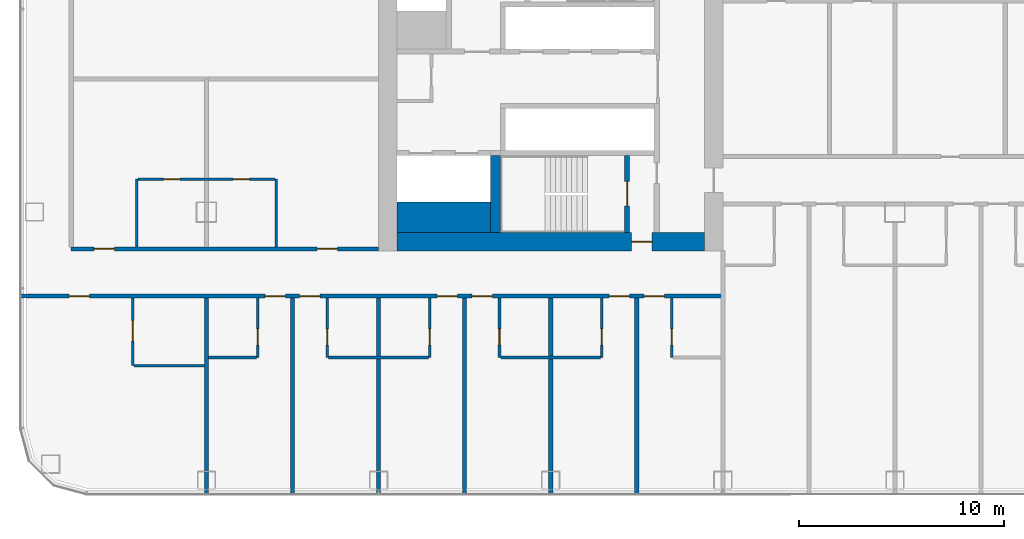
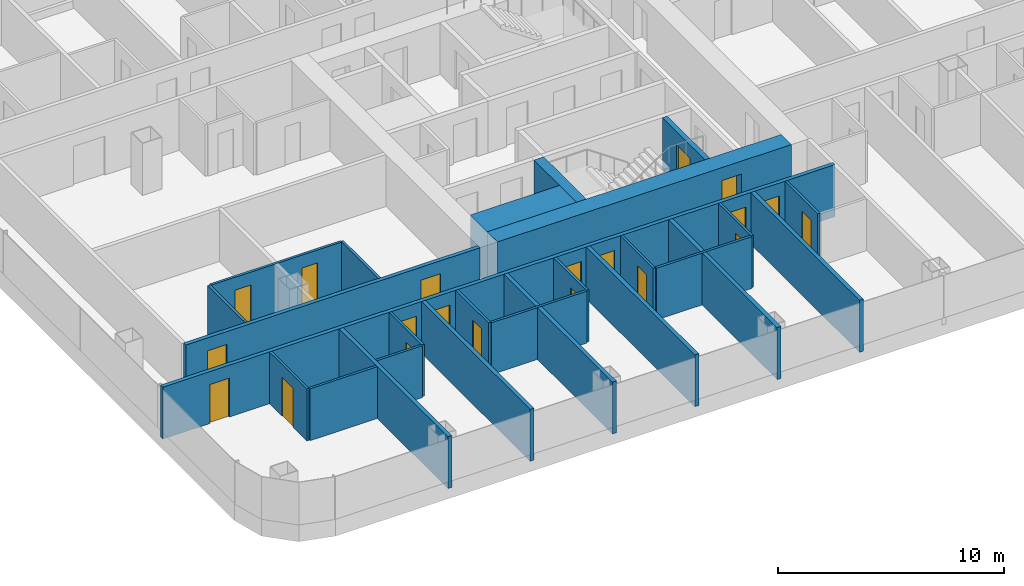
# One storey, part 13 of 29: 26 walls, 20 doors, 20 openings.
"""IFC4 building model written with IfcOpenShell, lengths in metres."""

from ifc_helpers import new_model, si_unit, direction, frame, frame_2d, origin, place, context, subcontext, project, spatial, rectangle, extrude, material, layer, layer_set, type_object, element, fill, save


model = new_model("IFC4")

# Units and contexts
model_context = context("Model", 3, precision=1e-05, world=origin(), true_north=direction((0.0, 1.0)))
body_context = subcontext(model_context, "Body", "Model", "MODEL_VIEW")
ifc_project = project(units=[si_unit("LENGTHUNIT", "METRE"), si_unit("AREAUNIT", "SQUARE_METRE"), si_unit("VOLUMEUNIT", "CUBIC_METRE"), si_unit("PLANEANGLEUNIT", "RADIAN"), si_unit("MASSUNIT", "GRAM", prefix="KILO")], contexts=[model_context])

# Site, building, storey
site_placement = place(None, origin())
site = spatial("IfcSite", under=ifc_project, at=site_placement, CompositionType="ELEMENT")
building_placement = place(site_placement, origin())
building = spatial("IfcBuilding", under=site, at=building_placement, Name="Hakoniwa Tower and Hamabe Station Hall", CompositionType="ELEMENT")
storey_placement = place(building_placement, frame((0.0, 0.0, 23.0)))
storey = spatial("IfcBuildingStorey", under=building, at=storey_placement, Name="L05", CompositionType="ELEMENT", Elevation=23.0)

# Walls
ifc_material_1 = material(Name="Gypsum board partition", Category="gypsum")
ifc_layer_1 = layer(ifc_material_1, 0.125)
ifc_layer_set_1 = layer_set([ifc_layer_1], Name="Bathroom Partition 125")
wall_type_1 = type_object("IfcWallType", Name="Bathroom Partition 125", PredefinedType="PARTITIONING", material=ifc_layer_set_1)
wall_1_placement = place(storey_placement, frame((-45.53759765625, -14.0, 0.0), z_axis=(0.0, 0.0, 1.0), x_axis=(1.0, 0.0, 0.0)))
element("IfcWall", 1, at=wall_1_placement, inside=storey, type_object=wall_type_1, Name="GW-L05-001", PredefinedType="PARTITIONING", context=body_context, shape_type="SweptSolid", body=[
    extrude(rectangle(XDim=3.4375, YDim=0.125, at=frame_2d((1.71875, 0.0))), origin(), (0.0, 0.0, 1.0), 2.800048828125),
])
wall_2_placement = place(storey_placement, frame((-41.89990234375, -13.60009765625, 0.0), z_axis=(0.0, 0.0, 1.0), x_axis=(1.0, 0.0, 0.0)))
element("IfcWall", 2, at=wall_2_placement, inside=storey, type_object=wall_type_1, Name="GW-L05-002", PredefinedType="PARTITIONING", context=body_context, shape_type="SweptSolid", body=[
    extrude(rectangle(XDim=2.33740234375, YDim=0.125, at=frame_2d((1.168701171875, 0.0))), origin(), (0.0, 0.0, 1.0), 2.800048828125),
])
for number, where, z_axis, x_axis, name in (
    (3, (-36.03759765625, -13.60009765625, 0.0), (0.0, 0.0, 1.0), (1.0, 0.0, 0.0), "GW-L05-003"),
    (4, (-27.637451171875, -13.60009765625, 0.0), (0.0, 0.0, 1.0), (1.0, 0.0, 0.0), "GW-L05-004"),
):
    element("IfcWall", number, at=place(storey_placement, frame(where, z_axis=z_axis, x_axis=x_axis)), inside=storey, type_object=wall_type_1, Name=name, PredefinedType="PARTITIONING", context=body_context, shape_type="SweptSolid", body=[
        extrude(rectangle(XDim=4.875, YDim=0.125, at=frame_2d((2.4375, 0.0))), origin(), (0.0, 0.0, 1.0), 2.800048828125),
    ])

# Wall, openings, doors
wall_3_placement = place(storey_placement, frame((-45.33740234375, -4.89990234375, 0.0), z_axis=(0.0, 0.0, 1.0), x_axis=(1.0, 0.0, 0.0)))
wall_3 = element("IfcWall", 5, at=wall_3_placement, inside=storey, type_object=wall_type_1, Name="GW-L05-022", PredefinedType="PARTITIONING", context=body_context, shape_type="SweptSolid", body=[
    extrude(rectangle(XDim=6.6748046875, YDim=0.125, at=frame_2d((3.33740234375, 0.0))), origin(), (0.0, 0.0, 1.0), 2.800048828125),
])
opening_1_placement = place(wall_3_placement, frame((1.237548828125, 0.0, 0.0)))
opening_1 = element("IfcOpeningElement", 6, at=opening_1_placement, cuts=wall_3, Name="Opening GD-G1B0-27", PredefinedType="OPENING", context=body_context, shape_type="SweptSolid", body=[
    extrude(rectangle(XDim=0.800048828125, YDim=2.10009765625, at=frame_2d((0.39990234375, 1.050048828125))), frame((0.0, 0.072509765625, 0.0), z_axis=(0.0, -1.0, 0.0), x_axis=(1.0, 0.0, 0.0)), (0.0, 0.0, 1.0), 0.14501953125),
])
opening_2_placement = place(wall_3_placement, frame((4.637451171875, 0.0, 0.0)))
opening_2 = element("IfcOpeningElement", 7, at=opening_2_placement, cuts=wall_3, Name="Opening GD-G1B0-28", PredefinedType="OPENING", context=body_context, shape_type="SweptSolid", body=[
    extrude(rectangle(XDim=0.800048828125, YDim=2.10009765625, at=frame_2d((0.39990234375, 1.050048828125))), frame((0.0, 0.072509765625, 0.0), z_axis=(0.0, -1.0, 0.0), x_axis=(1.0, 0.0, 0.0)), (0.0, 0.0, 1.0), 0.14501953125),
])
ifc_material_2 = material(Name="Timber door leaf", Category="wood")
door_type_1 = type_object("IfcDoorType", Name="Bathroom Door 800", OperationType="SINGLE_SWING_LEFT", PredefinedType="DOOR", material=ifc_material_2)
door_1_placement = place(opening_1_placement, origin())
door_1 = element("IfcDoor", 8, at=door_1_placement, inside=storey, type_object=door_type_1, Name="Door GD-G1B0-27", OperationType="SINGLE_SWING_LEFT", OverallHeight=2.10009765625, OverallWidth=0.800048828125, PredefinedType="DOOR", context=body_context, shape_type="SweptSolid", body=[
    extrude(rectangle(XDim=0.800048828125, YDim=2.10009765625, at=frame_2d((0.39990234375, 1.050048828125))), frame((0.0, 0.02490234375, 0.0), z_axis=(0.0, -1.0, 0.0), x_axis=(1.0, 0.0, 0.0)), (0.0, 0.0, 1.0), 0.050048828125),
])
fill(opening_1, door_1)
door_2_placement = place(opening_2_placement, origin())
door_2 = element("IfcDoor", 9, at=door_2_placement, inside=storey, type_object=door_type_1, Name="Door GD-G1B0-28", OperationType="SINGLE_SWING_RIGHT", OverallHeight=2.10009765625, OverallWidth=0.800048828125, PredefinedType="DOOR", context=body_context, shape_type="SweptSolid", body=[
    extrude(rectangle(XDim=0.800048828125, YDim=2.10009765625, at=frame_2d((0.39990234375, 1.050048828125))), frame((0.0, 0.02490234375, 0.0), z_axis=(0.0, -1.0, 0.0), x_axis=(1.0, 0.0, 0.0)), (0.0, 0.0, 1.0), 0.050048828125),
])
fill(opening_2, door_2)

# Wall, opening, door
wall_4_placement = place(storey_placement, frame((-45.60009765625, -14.0, 0.0), z_axis=(0.0, 0.0, 1.0), x_axis=(0.0, 1.0, 0.0)))
wall_4 = element("IfcWall", 10, at=wall_4_placement, inside=storey, type_object=wall_type_1, Name="GW-L05-048", PredefinedType="PARTITIONING", context=body_context, shape_type="SweptSolid", body=[
    extrude(rectangle(XDim=3.300048828125, YDim=0.125, at=frame_2d((1.64990234375, 0.0))), origin(), (0.0, 0.0, 1.0), 2.800048828125),
])
opening_3_placement = place(wall_4_placement, frame((1.199951171875, 0.0, 0.0)))
opening_3 = element("IfcOpeningElement", 11, at=opening_3_placement, cuts=wall_4, Name="Opening GD-G1B0-64", PredefinedType="OPENING", context=body_context, shape_type="SweptSolid", body=[
    extrude(rectangle(XDim=1.0, YDim=2.10009765625, at=frame_2d((0.5, 1.050048828125))), frame((0.0, 0.072509765625, 0.0), z_axis=(0.0, -1.0, 0.0), x_axis=(1.0, 0.0, 0.0)), (0.0, 0.0, 1.0), 0.14501953125),
])
ifc_material_3 = material(Name="Timber door leaf", Category="wood")
door_type_2 = type_object("IfcDoorType", Name="Accessible Bathroom Door 1000", OperationType="SINGLE_SWING_LEFT", PredefinedType="DOOR", material=ifc_material_3)
door_3_placement = place(opening_3_placement, origin())
door_3 = element("IfcDoor", 12, at=door_3_placement, inside=storey, type_object=door_type_2, Name="Door GD-G1B0-64", OperationType="SINGLE_SWING_RIGHT", OverallHeight=2.10009765625, OverallWidth=1.0, PredefinedType="DOOR", context=body_context, shape_type="SweptSolid", body=[
    extrude(rectangle(XDim=1.0, YDim=2.10009765625, at=frame_2d((0.5, 1.050048828125))), frame((0.0, 0.02490234375, 0.0), z_axis=(0.0, -1.0, 0.0), x_axis=(1.0, 0.0, 0.0)), (0.0, 0.0, 1.0), 0.050048828125),
])
fill(opening_3, door_3)

# Wall
wall_5_placement = place(storey_placement, frame((-45.39990234375, -8.199951171875, 0.0), z_axis=(0.0, 0.0, 1.0), x_axis=(0.0, 1.0, 0.0)))
element("IfcWall", 13, at=wall_5_placement, inside=storey, type_object=wall_type_1, Name="GW-L05-050", PredefinedType="PARTITIONING", context=body_context, shape_type="SweptSolid", body=[
    extrude(rectangle(XDim=3.300048828125, YDim=0.125, at=frame_2d((1.64990234375, 0.0))), origin(), (0.0, 0.0, 1.0), 2.800048828125),
])

# Wall, opening, door
wall_6_placement = place(storey_placement, frame((-39.5, -13.60009765625, 0.0), z_axis=(0.0, 0.0, 1.0), x_axis=(0.0, 1.0, 0.0)))
wall_6 = element("IfcWall", 14, at=wall_6_placement, inside=storey, type_object=wall_type_1, Name="GW-L05-054", PredefinedType="PARTITIONING", context=body_context, shape_type="SweptSolid", body=[
    extrude(rectangle(XDim=2.900146484375, YDim=0.125, at=frame_2d((1.4501953125, 0.0))), origin(), (0.0, 0.0, 1.0), 2.800048828125),
])
opening_4_placement = place(wall_6_placement, frame((0.60009765625, 0.0, 0.0)))
opening_4 = element("IfcOpeningElement", 15, at=opening_4_placement, cuts=wall_6, Name="Opening GD-G1B0-66", PredefinedType="OPENING", context=body_context, shape_type="SweptSolid", body=[
    extrude(rectangle(XDim=0.800048828125, YDim=2.10009765625, at=frame_2d((0.39990234375, 1.050048828125))), frame((0.0, 0.072509765625, 0.0), z_axis=(0.0, -1.0, 0.0), x_axis=(1.0, 0.0, 0.0)), (0.0, 0.0, 1.0), 0.14501953125),
])
door_4_placement = place(opening_4_placement, origin())
door_4 = element("IfcDoor", 16, at=door_4_placement, inside=storey, type_object=door_type_1, Name="Door GD-G1B0-66", OperationType="SINGLE_SWING_RIGHT", OverallHeight=2.10009765625, OverallWidth=0.800048828125, PredefinedType="DOOR", context=body_context, shape_type="SweptSolid", body=[
    extrude(rectangle(XDim=0.800048828125, YDim=2.10009765625, at=frame_2d((0.39990234375, 1.050048828125))), frame((0.0, 0.02490234375, 0.0), z_axis=(0.0, -1.0, 0.0), x_axis=(1.0, 0.0, 0.0)), (0.0, 0.0, 1.0), 0.050048828125),
])
fill(opening_4, door_4)

# Wall
wall_7_placement = place(storey_placement, frame((-38.60009765625, -8.199951171875, 0.0), z_axis=(0.0, 0.0, 1.0), x_axis=(0.0, 1.0, 0.0)))
element("IfcWall", 17, at=wall_7_placement, inside=storey, type_object=wall_type_1, Name="GW-L05-057", PredefinedType="PARTITIONING", context=body_context, shape_type="SweptSolid", body=[
    extrude(rectangle(XDim=3.300048828125, YDim=0.125, at=frame_2d((1.64990234375, 0.0))), origin(), (0.0, 0.0, 1.0), 2.800048828125),
])

# Wall, opening, door
wall_8_placement = place(storey_placement, frame((-36.10009765625, -13.60009765625, 0.0), z_axis=(0.0, 0.0, 1.0), x_axis=(0.0, 1.0, 0.0)))
wall_8 = element("IfcWall", 18, at=wall_8_placement, inside=storey, type_object=wall_type_1, Name="GW-L05-061", PredefinedType="PARTITIONING", context=body_context, shape_type="SweptSolid", body=[
    extrude(rectangle(XDim=2.900146484375, YDim=0.125, at=frame_2d((1.4501953125, 0.0))), origin(), (0.0, 0.0, 1.0), 2.800048828125),
])
opening_5_placement = place(wall_8_placement, frame((0.60009765625, 0.0, 0.0)))
opening_5 = element("IfcOpeningElement", 19, at=opening_5_placement, cuts=wall_8, Name="Opening GD-G1B0-68", PredefinedType="OPENING", context=body_context, shape_type="SweptSolid", body=[
    extrude(rectangle(XDim=0.800048828125, YDim=2.10009765625, at=frame_2d((0.39990234375, 1.050048828125))), frame((0.0, 0.072509765625, 0.0), z_axis=(0.0, -1.0, 0.0), x_axis=(1.0, 0.0, 0.0)), (0.0, 0.0, 1.0), 0.14501953125),
])
door_5_placement = place(opening_5_placement, origin())
door_5 = element("IfcDoor", 20, at=door_5_placement, inside=storey, type_object=door_type_1, Name="Door GD-G1B0-68", OperationType="SINGLE_SWING_LEFT", OverallHeight=2.10009765625, OverallWidth=0.800048828125, PredefinedType="DOOR", context=body_context, shape_type="SweptSolid", body=[
    extrude(rectangle(XDim=0.800048828125, YDim=2.10009765625, at=frame_2d((0.39990234375, 1.050048828125))), frame((0.0, 0.02490234375, 0.0), z_axis=(0.0, -1.0, 0.0), x_axis=(1.0, 0.0, 0.0)), (0.0, 0.0, 1.0), 0.050048828125),
])
fill(opening_5, door_5)

wall_9_placement = place(storey_placement, frame((-31.10009765625, -13.60009765625, 0.0), z_axis=(0.0, 0.0, 1.0), x_axis=(0.0, 1.0, 0.0)))
wall_9 = element("IfcWall", 21, at=wall_9_placement, inside=storey, type_object=wall_type_1, Name="GW-L05-065", PredefinedType="PARTITIONING", context=body_context, shape_type="SweptSolid", body=[
    extrude(rectangle(XDim=2.900146484375, YDim=0.125, at=frame_2d((1.4501953125, 0.0))), origin(), (0.0, 0.0, 1.0), 2.800048828125),
])
opening_6_placement = place(wall_9_placement, frame((0.60009765625, 0.0, 0.0)))
opening_6 = element("IfcOpeningElement", 22, at=opening_6_placement, cuts=wall_9, Name="Opening GD-G1B0-70", PredefinedType="OPENING", context=body_context, shape_type="SweptSolid", body=[
    extrude(rectangle(XDim=0.800048828125, YDim=2.10009765625, at=frame_2d((0.39990234375, 1.050048828125))), frame((0.0, 0.072509765625, 0.0), z_axis=(0.0, -1.0, 0.0), x_axis=(1.0, 0.0, 0.0)), (0.0, 0.0, 1.0), 0.14501953125),
])
door_6_placement = place(opening_6_placement, origin())
door_6 = element("IfcDoor", 23, at=door_6_placement, inside=storey, type_object=door_type_1, Name="Door GD-G1B0-70", OperationType="SINGLE_SWING_RIGHT", OverallHeight=2.10009765625, OverallWidth=0.800048828125, PredefinedType="DOOR", context=body_context, shape_type="SweptSolid", body=[
    extrude(rectangle(XDim=0.800048828125, YDim=2.10009765625, at=frame_2d((0.39990234375, 1.050048828125))), frame((0.0, 0.02490234375, 0.0), z_axis=(0.0, -1.0, 0.0), x_axis=(1.0, 0.0, 0.0)), (0.0, 0.0, 1.0), 0.050048828125),
])
fill(opening_6, door_6)

wall_10_placement = place(storey_placement, frame((-27.699951171875, -13.60009765625, 0.0), z_axis=(0.0, 0.0, 1.0), x_axis=(0.0, 1.0, 0.0)))
wall_10 = element("IfcWall", 24, at=wall_10_placement, inside=storey, type_object=wall_type_1, Name="GW-L05-069", PredefinedType="PARTITIONING", context=body_context, shape_type="SweptSolid", body=[
    extrude(rectangle(XDim=2.900146484375, YDim=0.125, at=frame_2d((1.4501953125, 0.0))), origin(), (0.0, 0.0, 1.0), 2.800048828125),
])
opening_7_placement = place(wall_10_placement, frame((0.60009765625, 0.0, 0.0)))
opening_7 = element("IfcOpeningElement", 25, at=opening_7_placement, cuts=wall_10, Name="Opening GD-G1B0-72", PredefinedType="OPENING", context=body_context, shape_type="SweptSolid", body=[
    extrude(rectangle(XDim=0.800048828125, YDim=2.10009765625, at=frame_2d((0.39990234375, 1.050048828125))), frame((0.0, 0.072509765625, 0.0), z_axis=(0.0, -1.0, 0.0), x_axis=(1.0, 0.0, 0.0)), (0.0, 0.0, 1.0), 0.14501953125),
])
door_7_placement = place(opening_7_placement, origin())
door_7 = element("IfcDoor", 26, at=door_7_placement, inside=storey, type_object=door_type_1, Name="Door GD-G1B0-72", OperationType="SINGLE_SWING_LEFT", OverallHeight=2.10009765625, OverallWidth=0.800048828125, PredefinedType="DOOR", context=body_context, shape_type="SweptSolid", body=[
    extrude(rectangle(XDim=0.800048828125, YDim=2.10009765625, at=frame_2d((0.39990234375, 1.050048828125))), frame((0.0, 0.02490234375, 0.0), z_axis=(0.0, -1.0, 0.0), x_axis=(1.0, 0.0, 0.0)), (0.0, 0.0, 1.0), 0.050048828125),
])
fill(opening_7, door_7)

wall_11_placement = place(storey_placement, frame((-22.699951171875, -13.60009765625, 0.0), z_axis=(0.0, 0.0, 1.0), x_axis=(0.0, 1.0, 0.0)))
wall_11 = element("IfcWall", 27, at=wall_11_placement, inside=storey, type_object=wall_type_1, Name="GW-L05-073", PredefinedType="PARTITIONING", context=body_context, shape_type="SweptSolid", body=[
    extrude(rectangle(XDim=2.900146484375, YDim=0.125, at=frame_2d((1.4501953125, 0.0))), origin(), (0.0, 0.0, 1.0), 2.800048828125),
])
opening_8_placement = place(wall_11_placement, frame((0.60009765625, 0.0, 0.0)))
opening_8 = element("IfcOpeningElement", 28, at=opening_8_placement, cuts=wall_11, Name="Opening GD-G1B0-74", PredefinedType="OPENING", context=body_context, shape_type="SweptSolid", body=[
    extrude(rectangle(XDim=0.800048828125, YDim=2.10009765625, at=frame_2d((0.39990234375, 1.050048828125))), frame((0.0, 0.072509765625, 0.0), z_axis=(0.0, -1.0, 0.0), x_axis=(1.0, 0.0, 0.0)), (0.0, 0.0, 1.0), 0.14501953125),
])
door_8_placement = place(opening_8_placement, origin())
door_8 = element("IfcDoor", 29, at=door_8_placement, inside=storey, type_object=door_type_1, Name="Door GD-G1B0-74", OperationType="SINGLE_SWING_RIGHT", OverallHeight=2.10009765625, OverallWidth=0.800048828125, PredefinedType="DOOR", context=body_context, shape_type="SweptSolid", body=[
    extrude(rectangle(XDim=0.800048828125, YDim=2.10009765625, at=frame_2d((0.39990234375, 1.050048828125))), frame((0.0, 0.02490234375, 0.0), z_axis=(0.0, -1.0, 0.0), x_axis=(1.0, 0.0, 0.0)), (0.0, 0.0, 1.0), 0.050048828125),
])
fill(opening_8, door_8)

wall_12_placement = place(storey_placement, frame((-19.300048828125, -13.60009765625, 0.0), z_axis=(0.0, 0.0, 1.0), x_axis=(0.0, 1.0, 0.0)))
wall_12 = element("IfcWall", 30, at=wall_12_placement, inside=storey, type_object=wall_type_1, Name="GW-L05-077", PredefinedType="PARTITIONING", context=body_context, shape_type="SweptSolid", body=[
    extrude(rectangle(XDim=2.900146484375, YDim=0.125, at=frame_2d((1.4501953125, 0.0))), origin(), (0.0, 0.0, 1.0), 2.800048828125),
])
opening_9_placement = place(wall_12_placement, frame((0.60009765625, 0.0, 0.0)))
opening_9 = element("IfcOpeningElement", 31, at=opening_9_placement, cuts=wall_12, Name="Opening GD-G1B0-76", PredefinedType="OPENING", context=body_context, shape_type="SweptSolid", body=[
    extrude(rectangle(XDim=0.800048828125, YDim=2.10009765625, at=frame_2d((0.39990234375, 1.050048828125))), frame((0.0, 0.072509765625, 0.0), z_axis=(0.0, -1.0, 0.0), x_axis=(1.0, 0.0, 0.0)), (0.0, 0.0, 1.0), 0.14501953125),
])
door_9_placement = place(opening_9_placement, origin())
door_9 = element("IfcDoor", 32, at=door_9_placement, inside=storey, type_object=door_type_1, Name="Door GD-G1B0-76", OperationType="SINGLE_SWING_LEFT", OverallHeight=2.10009765625, OverallWidth=0.800048828125, PredefinedType="DOOR", context=body_context, shape_type="SweptSolid", body=[
    extrude(rectangle(XDim=0.800048828125, YDim=2.10009765625, at=frame_2d((0.39990234375, 1.050048828125))), frame((0.0, 0.02490234375, 0.0), z_axis=(0.0, -1.0, 0.0), x_axis=(1.0, 0.0, 0.0)), (0.0, 0.0, 1.0), 0.050048828125),
])
fill(opening_9, door_9)

ifc_material_4 = material(Name="Concrete C80", Category="concrete")
ifc_layer_2 = layer(ifc_material_4, 0.89990234375)
ifc_layer_set_2 = layer_set([ifc_layer_2], Name="CORE WALL 900 C80")
wall_type_2 = type_object("IfcWallType", Name="CORE WALL 900 C80", PredefinedType="SHEAR", material=ifc_layer_set_2)
wall_13_placement = place(storey_placement, frame((-32.699951171875, -7.949951171875, 0.0), z_axis=(0.0, 0.0, 1.0), x_axis=(1.0, 0.0, 0.0)))
wall_13 = element("IfcWall", 33, at=wall_13_placement, inside=storey, type_object=wall_type_2, Name="Core wall SOUTH west", PredefinedType="SHEAR", context=body_context, shape_type="SweptSolid", body=[
    extrude(rectangle(XDim=15.0, YDim=0.89990234375, at=frame_2d((7.5, 0.0))), origin(), (0.0, 0.0, 1.0), 2.800048828125),
])
opening_10_placement = place(wall_13_placement, frame((11.449951171875, 0.0, 0.0)))
opening_10 = element("IfcOpeningElement", 34, at=opening_10_placement, cuts=wall_13, Name="Opening CD-W-FS3-10", PredefinedType="OPENING", context=body_context, shape_type="SweptSolid", body=[
    extrude(rectangle(XDim=1.0, YDim=2.10009765625, at=frame_2d((0.5, 1.050048828125))), frame((0.0, 0.4599609375, 0.0), z_axis=(0.0, -1.0, 0.0), x_axis=(1.0, 0.0, 0.0)), (0.0, 0.0, 1.0), 0.919921875),
])
ifc_material_5 = material(Name="Steel fire door", Category="steel")
door_type_3 = type_object("IfcDoorType", Name="CORE DOOR 1000 FD60", OperationType="NOTDEFINED", PredefinedType="DOOR", material=ifc_material_5)
door_10_placement = place(opening_10_placement, origin())
door_10 = element("IfcDoor", 35, at=door_10_placement, inside=storey, type_object=door_type_3, Name="Stair vestibule door", OperationType="SINGLE_SWING_LEFT", OverallHeight=2.10009765625, OverallWidth=1.0, PredefinedType="DOOR", context=body_context, shape_type="SweptSolid", body=[
    extrude(rectangle(XDim=1.0, YDim=2.10009765625, at=frame_2d((0.5, 1.050048828125))), frame((0.0, 0.02490234375, 0.0), z_axis=(0.0, -1.0, 0.0), x_axis=(1.0, 0.0, 0.0)), (0.0, 0.0, 1.0), 0.050048828125),
])
fill(opening_10, door_10)

# Wall
ifc_material_6 = material(Name="Concrete C80", Category="concrete")
ifc_layer_3 = layer(ifc_material_6, 1.5)
ifc_layer_set_3 = layer_set([ifc_layer_3], Name="CORE WEB WALL 1500 C80")
wall_type_3 = type_object("IfcWallType", Name="CORE WEB WALL 1500 C80", PredefinedType="SHEAR", material=ifc_layer_set_3)
wall_14_placement = place(storey_placement, frame((-32.699951171875, -6.75, 0.0), z_axis=(0.0, 0.0, 1.0), x_axis=(1.0, 0.0, 0.0)))
element("IfcWall", 36, at=wall_14_placement, inside=storey, type_object=wall_type_3, Name="Core wall SER west", PredefinedType="SHEAR", context=body_context, shape_type="SweptSolid", body=[
    extrude(rectangle(XDim=4.550048828125, YDim=1.5, at=frame_2d((2.27490234375, 0.0))), origin(), (0.0, 0.0, 1.0), 2.800048828125),
])

# Wall, opening, door
ifc_material_7 = material(Name="Concrete C80", Category="concrete")
ifc_layer_4 = layer(ifc_material_7, 0.25)
ifc_layer_set_4 = layer_set([ifc_layer_4], Name="CORE WEB WALL 250 C80")
wall_type_4 = type_object("IfcWallType", Name="CORE WEB WALL 250 C80", PredefinedType="SHEAR", material=ifc_layer_set_4)
wall_15_placement = place(storey_placement, frame((-21.47509765625, -7.5, 0.0), z_axis=(0.0, 0.0, 1.0), x_axis=(0.0, 1.0, 0.0)))
wall_15 = element("IfcWall", 37, at=wall_15_placement, inside=storey, type_object=wall_type_4, Name="Core wall VE west", PredefinedType="SHEAR", context=body_context, shape_type="SweptSolid", body=[
    extrude(rectangle(XDim=3.75, YDim=0.25, at=frame_2d((1.875, 0.0))), origin(), (0.0, 0.0, 1.0), 2.800048828125),
])
opening_11_placement = place(wall_15_placement, frame((1.300048828125, 0.0, 0.0)))
opening_11 = element("IfcOpeningElement", 38, at=opening_11_placement, cuts=wall_15, Name="Opening CD-W-SS-12", PredefinedType="OPENING", context=body_context, shape_type="SweptSolid", body=[
    extrude(rectangle(XDim=1.199951171875, YDim=2.10009765625, at=frame_2d((0.60009765625, 1.050048828125))), frame((0.0, 0.135009765625, 0.0), z_axis=(0.0, -1.0, 0.0), x_axis=(1.0, 0.0, 0.0)), (0.0, 0.0, 1.0), 0.27001953125),
])
ifc_material_8 = material(Name="Steel fire door", Category="steel")
door_type_4 = type_object("IfcDoorType", Name="CORE DOOR 1200 FD60", OperationType="DOUBLE_DOOR_SINGLE_SWING", PredefinedType="DOOR", material=ifc_material_8)
door_11_placement = place(opening_11_placement, origin())
door_11 = element("IfcDoor", 39, at=door_11_placement, inside=storey, type_object=door_type_4, Name="Escape stair door", OperationType="DOUBLE_DOOR_SINGLE_SWING", OverallHeight=2.10009765625, OverallWidth=1.199951171875, PredefinedType="DOOR", context=body_context, shape_type="SweptSolid", body=[
    extrude(rectangle(XDim=1.199951171875, YDim=2.10009765625, at=frame_2d((0.60009765625, 1.050048828125))), frame((0.0, 0.02490234375, 0.0), z_axis=(0.0, -1.0, 0.0), x_axis=(1.0, 0.0, 0.0)), (0.0, 0.0, 1.0), 0.050048828125),
])
fill(opening_11, door_11)

# Wall
ifc_material_9 = material(Name="Concrete C80", Category="concrete")
ifc_layer_5 = layer(ifc_material_9, 0.5)
ifc_layer_set_5 = layer_set([ifc_layer_5], Name="CORE WEB WALL 500 C80")
wall_type_5 = type_object("IfcWallType", Name="CORE WEB WALL 500 C80", PredefinedType="SHEAR", material=ifc_layer_set_5)
wall_16_placement = place(storey_placement, frame((-27.89990234375, -7.5, 0.0), z_axis=(0.0, 0.0, 1.0), x_axis=(0.0, 1.0, 0.0)))
element("IfcWall", 40, at=wall_16_placement, inside=storey, type_object=wall_type_5, Name="Core wall SSE west", PredefinedType="SHEAR", context=body_context, shape_type="SweptSolid", body=[
    extrude(rectangle(XDim=3.75, YDim=0.5, at=frame_2d((1.875, 0.0))), origin(), (0.0, 0.0, 1.0), 2.800048828125),
])

# Wall, openings, doors
ifc_material_10 = material(Name="Fire-rated gypsum board partition", Category="gypsum")
ifc_layer_6 = layer(ifc_material_10, 0.199951171875)
ifc_layer_set_6 = layer_set([ifc_layer_6], Name="Corridor Wall 200")
wall_type_6 = type_object("IfcWallType", Name="Corridor Wall 200", PredefinedType="PARTITIONING", material=ifc_layer_set_6)
wall_17_placement = place(storey_placement, frame((-51.10009765625, -10.60009765625, 0.0), z_axis=(0.0, 0.0, 1.0), x_axis=(1.0, 0.0, 0.0)))
wall_17 = element("IfcWall", 41, at=wall_17_placement, inside=storey, type_object=wall_type_6, Name="GW-L05-011", PredefinedType="PARTITIONING", context=body_context, shape_type="SweptSolid", body=[
    extrude(rectangle(XDim=34.300048828125, YDim=0.199951171875, at=frame_2d((17.14990234375, 0.0))), origin(), (0.0, 0.0, 1.0), 2.800048828125),
])
opening_12_placement = place(wall_17_placement, frame((2.39990234375, 0.0, 0.0)))
opening_12 = element("IfcOpeningElement", 42, at=opening_12_placement, cuts=wall_17, Name="Opening GD-G1B0-01", PredefinedType="OPENING", context=body_context, shape_type="SweptSolid", body=[
    extrude(rectangle(XDim=1.0, YDim=2.10009765625, at=frame_2d((0.5, 1.050048828125))), frame((0.0, 0.10986328125, 0.0), z_axis=(0.0, -1.0, 0.0), x_axis=(1.0, 0.0, 0.0)), (0.0, 0.0, 1.0), 0.219970703125),
])
opening_13_placement = place(wall_17_placement, frame((11.949951171875, 0.0, 0.0)))
opening_13 = element("IfcOpeningElement", 43, at=opening_13_placement, cuts=wall_17, Name="Opening GD-G1B0-02", PredefinedType="OPENING", context=body_context, shape_type="SweptSolid", body=[
    extrude(rectangle(XDim=1.0, YDim=2.10009765625, at=frame_2d((0.5, 1.050048828125))), frame((0.0, 0.10986328125, 0.0), z_axis=(0.0, -1.0, 0.0), x_axis=(1.0, 0.0, 0.0)), (0.0, 0.0, 1.0), 0.219970703125),
])
opening_14_placement = place(wall_17_placement, frame((13.64990234375, 0.0, 0.0)))
opening_14 = element("IfcOpeningElement", 44, at=opening_14_placement, cuts=wall_17, Name="Opening GD-G1B0-03", PredefinedType="OPENING", context=body_context, shape_type="SweptSolid", body=[
    extrude(rectangle(XDim=1.0, YDim=2.10009765625, at=frame_2d((0.5, 1.050048828125))), frame((0.0, 0.10986328125, 0.0), z_axis=(0.0, -1.0, 0.0), x_axis=(1.0, 0.0, 0.0)), (0.0, 0.0, 1.0), 0.219970703125),
])
opening_15_placement = place(wall_17_placement, frame((20.35009765625, 0.0, 0.0)))
opening_15 = element("IfcOpeningElement", 45, at=opening_15_placement, cuts=wall_17, Name="Opening GD-G1B0-04", PredefinedType="OPENING", context=body_context, shape_type="SweptSolid", body=[
    extrude(rectangle(XDim=1.0, YDim=2.10009765625, at=frame_2d((0.5, 1.050048828125))), frame((0.0, 0.10986328125, 0.0), z_axis=(0.0, -1.0, 0.0), x_axis=(1.0, 0.0, 0.0)), (0.0, 0.0, 1.0), 0.219970703125),
])
opening_16_placement = place(wall_17_placement, frame((22.050048828125, 0.0, 0.0)))
opening_16 = element("IfcOpeningElement", 46, at=opening_16_placement, cuts=wall_17, Name="Opening GD-G1B0-05", PredefinedType="OPENING", context=body_context, shape_type="SweptSolid", body=[
    extrude(rectangle(XDim=1.0, YDim=2.10009765625, at=frame_2d((0.5, 1.050048828125))), frame((0.0, 0.10986328125, 0.0), z_axis=(0.0, -1.0, 0.0), x_axis=(1.0, 0.0, 0.0)), (0.0, 0.0, 1.0), 0.219970703125),
])
opening_17_placement = place(wall_17_placement, frame((28.75, 0.0, 0.0)))
opening_17 = element("IfcOpeningElement", 47, at=opening_17_placement, cuts=wall_17, Name="Opening GD-G1B0-06", PredefinedType="OPENING", context=body_context, shape_type="SweptSolid", body=[
    extrude(rectangle(XDim=1.0, YDim=2.10009765625, at=frame_2d((0.5, 1.050048828125))), frame((0.0, 0.10986328125, 0.0), z_axis=(0.0, -1.0, 0.0), x_axis=(1.0, 0.0, 0.0)), (0.0, 0.0, 1.0), 0.219970703125),
])
opening_18_placement = place(wall_17_placement, frame((30.449951171875, 0.0, 0.0)))
opening_18 = element("IfcOpeningElement", 48, at=opening_18_placement, cuts=wall_17, Name="Opening GD-G1B0-07", PredefinedType="OPENING", context=body_context, shape_type="SweptSolid", body=[
    extrude(rectangle(XDim=1.0, YDim=2.10009765625, at=frame_2d((0.5, 1.050048828125))), frame((0.0, 0.10986328125, 0.0), z_axis=(0.0, -1.0, 0.0), x_axis=(1.0, 0.0, 0.0)), (0.0, 0.0, 1.0), 0.219970703125),
])
ifc_material_11 = material(Name="Timber door leaf", Category="wood")
door_type_5 = type_object("IfcDoorType", Name="Accessible Guest Entrance Door 1000", OperationType="SINGLE_SWING_LEFT", PredefinedType="DOOR", material=ifc_material_11)
door_12_placement = place(opening_12_placement, origin())
door_12 = element("IfcDoor", 49, at=door_12_placement, inside=storey, type_object=door_type_5, Name="Door GD-G1B0-01", OperationType="SINGLE_SWING_LEFT", OverallHeight=2.10009765625, OverallWidth=1.0, PredefinedType="DOOR", context=body_context, shape_type="SweptSolid", body=[
    extrude(rectangle(XDim=1.0, YDim=2.10009765625, at=frame_2d((0.5, 1.050048828125))), frame((0.0, 0.02490234375, 0.0), z_axis=(0.0, -1.0, 0.0), x_axis=(1.0, 0.0, 0.0)), (0.0, 0.0, 1.0), 0.050048828125),
])
fill(opening_12, door_12)
ifc_material_12 = material(Name="Timber door leaf", Category="wood")
door_type_6 = type_object("IfcDoorType", Name="Guest Entrance Door 1000", OperationType="SINGLE_SWING_LEFT", PredefinedType="DOOR", material=ifc_material_12)
door_13_placement = place(opening_13_placement, origin())
door_13 = element("IfcDoor", 50, at=door_13_placement, inside=storey, type_object=door_type_6, Name="Door GD-G1B0-02", OperationType="SINGLE_SWING_RIGHT", OverallHeight=2.10009765625, OverallWidth=1.0, PredefinedType="DOOR", context=body_context, shape_type="SweptSolid", body=[
    extrude(rectangle(XDim=1.0, YDim=2.10009765625, at=frame_2d((0.5, 1.050048828125))), frame((0.0, 0.02490234375, 0.0), z_axis=(0.0, -1.0, 0.0), x_axis=(1.0, 0.0, 0.0)), (0.0, 0.0, 1.0), 0.050048828125),
])
fill(opening_13, door_13)
door_14_placement = place(opening_14_placement, origin())
door_14 = element("IfcDoor", 51, at=door_14_placement, inside=storey, type_object=door_type_6, Name="Door GD-G1B0-03", OperationType="SINGLE_SWING_LEFT", OverallHeight=2.10009765625, OverallWidth=1.0, PredefinedType="DOOR", context=body_context, shape_type="SweptSolid", body=[
    extrude(rectangle(XDim=1.0, YDim=2.10009765625, at=frame_2d((0.5, 1.050048828125))), frame((0.0, 0.02490234375, 0.0), z_axis=(0.0, -1.0, 0.0), x_axis=(1.0, 0.0, 0.0)), (0.0, 0.0, 1.0), 0.050048828125),
])
fill(opening_14, door_14)
door_15_placement = place(opening_15_placement, origin())
door_15 = element("IfcDoor", 52, at=door_15_placement, inside=storey, type_object=door_type_6, Name="Door GD-G1B0-04", OperationType="SINGLE_SWING_RIGHT", OverallHeight=2.10009765625, OverallWidth=1.0, PredefinedType="DOOR", context=body_context, shape_type="SweptSolid", body=[
    extrude(rectangle(XDim=1.0, YDim=2.10009765625, at=frame_2d((0.5, 1.050048828125))), frame((0.0, 0.02490234375, 0.0), z_axis=(0.0, -1.0, 0.0), x_axis=(1.0, 0.0, 0.0)), (0.0, 0.0, 1.0), 0.050048828125),
])
fill(opening_15, door_15)
door_16_placement = place(opening_16_placement, origin())
door_16 = element("IfcDoor", 53, at=door_16_placement, inside=storey, type_object=door_type_6, Name="Door GD-G1B0-05", OperationType="SINGLE_SWING_LEFT", OverallHeight=2.10009765625, OverallWidth=1.0, PredefinedType="DOOR", context=body_context, shape_type="SweptSolid", body=[
    extrude(rectangle(XDim=1.0, YDim=2.10009765625, at=frame_2d((0.5, 1.050048828125))), frame((0.0, 0.02490234375, 0.0), z_axis=(0.0, -1.0, 0.0), x_axis=(1.0, 0.0, 0.0)), (0.0, 0.0, 1.0), 0.050048828125),
])
fill(opening_16, door_16)
door_17_placement = place(opening_17_placement, origin())
door_17 = element("IfcDoor", 54, at=door_17_placement, inside=storey, type_object=door_type_6, Name="Door GD-G1B0-06", OperationType="SINGLE_SWING_RIGHT", OverallHeight=2.10009765625, OverallWidth=1.0, PredefinedType="DOOR", context=body_context, shape_type="SweptSolid", body=[
    extrude(rectangle(XDim=1.0, YDim=2.10009765625, at=frame_2d((0.5, 1.050048828125))), frame((0.0, 0.02490234375, 0.0), z_axis=(0.0, -1.0, 0.0), x_axis=(1.0, 0.0, 0.0)), (0.0, 0.0, 1.0), 0.050048828125),
])
fill(opening_17, door_17)
door_18_placement = place(opening_18_placement, origin())
door_18 = element("IfcDoor", 55, at=door_18_placement, inside=storey, type_object=door_type_6, Name="Door GD-G1B0-07", OperationType="SINGLE_SWING_LEFT", OverallHeight=2.10009765625, OverallWidth=1.0, PredefinedType="DOOR", context=body_context, shape_type="SweptSolid", body=[
    extrude(rectangle(XDim=1.0, YDim=2.10009765625, at=frame_2d((0.5, 1.050048828125))), frame((0.0, 0.02490234375, 0.0), z_axis=(0.0, -1.0, 0.0), x_axis=(1.0, 0.0, 0.0)), (0.0, 0.0, 1.0), 0.050048828125),
])
fill(opening_18, door_18)

wall_18_placement = place(storey_placement, frame((-48.60009765625, -8.300048828125, 0.0), z_axis=(0.0, 0.0, 1.0), x_axis=(1.0, 0.0, 0.0)))
wall_18 = element("IfcWall", 56, at=wall_18_placement, inside=storey, type_object=wall_type_6, Name="GW-L05-018", PredefinedType="PARTITIONING", context=body_context, shape_type="SweptSolid", body=[
    extrude(rectangle(XDim=15.0, YDim=0.199951171875, at=frame_2d((7.5, 0.0))), origin(), (0.0, 0.0, 1.0), 2.800048828125),
])
opening_19_placement = place(wall_18_placement, frame((1.10009765625, 0.0, 0.0)))
opening_19 = element("IfcOpeningElement", 57, at=opening_19_placement, cuts=wall_18, Name="Opening GD-G1B0-16", PredefinedType="OPENING", context=body_context, shape_type="SweptSolid", body=[
    extrude(rectangle(XDim=1.0, YDim=2.10009765625, at=frame_2d((0.5, 1.050048828125))), frame((0.0, 0.10986328125, 0.0), z_axis=(0.0, -1.0, 0.0), x_axis=(1.0, 0.0, 0.0)), (0.0, 0.0, 1.0), 0.219970703125),
])
opening_20_placement = place(wall_18_placement, frame((12.0, 0.0, 0.0)))
opening_20 = element("IfcOpeningElement", 58, at=opening_20_placement, cuts=wall_18, Name="Opening GD-G1B0-17", PredefinedType="OPENING", context=body_context, shape_type="SweptSolid", body=[
    extrude(rectangle(XDim=1.0, YDim=2.10009765625, at=frame_2d((0.5, 1.050048828125))), frame((0.0, 0.10986328125, 0.0), z_axis=(0.0, -1.0, 0.0), x_axis=(1.0, 0.0, 0.0)), (0.0, 0.0, 1.0), 0.219970703125),
])
door_19_placement = place(opening_19_placement, origin())
door_19 = element("IfcDoor", 59, at=door_19_placement, inside=storey, type_object=door_type_6, Name="Door GD-G1B0-16", OperationType="SINGLE_SWING_RIGHT", OverallHeight=2.10009765625, OverallWidth=1.0, PredefinedType="DOOR", context=body_context, shape_type="SweptSolid", body=[
    extrude(rectangle(XDim=1.0, YDim=2.10009765625, at=frame_2d((0.5, 1.050048828125))), frame((0.0, 0.02490234375, 0.0), z_axis=(0.0, -1.0, 0.0), x_axis=(1.0, 0.0, 0.0)), (0.0, 0.0, 1.0), 0.050048828125),
])
fill(opening_19, door_19)
door_20_placement = place(opening_20_placement, origin())
door_20 = element("IfcDoor", 60, at=door_20_placement, inside=storey, type_object=door_type_6, Name="Door GD-G1B0-17", OperationType="SINGLE_SWING_LEFT", OverallHeight=2.10009765625, OverallWidth=1.0, PredefinedType="DOOR", context=body_context, shape_type="SweptSolid", body=[
    extrude(rectangle(XDim=1.0, YDim=2.10009765625, at=frame_2d((0.5, 1.050048828125))), frame((0.0, 0.02490234375, 0.0), z_axis=(0.0, -1.0, 0.0), x_axis=(1.0, 0.0, 0.0)), (0.0, 0.0, 1.0), 0.050048828125),
])
fill(opening_20, door_20)

# Walls
ifc_material_13 = material(Name="Fire-rated gypsum board partition", Category="gypsum")
ifc_layer_7 = layer(ifc_material_13, 0.199951171875)
ifc_layer_set_7 = layer_set([ifc_layer_7], Name="Party Wall 200")
wall_type_7 = type_object("IfcWallType", Name="Party Wall 200", PredefinedType="PARTITIONING", material=ifc_layer_set_7)
for number, where, z_axis, x_axis, name in (
    (61, (-42.0, -20.300048828125, 0.0), (0.0, 0.0, 1.0), (0.0, 1.0, 0.0), "GW-L05-051"),
    (62, (-37.800048828125, -20.300048828125, 0.0), (0.0, 0.0, 1.0), (0.0, 1.0, 0.0), "GW-L05-058"),
    (63, (-33.60009765625, -20.300048828125, 0.0), (0.0, 0.0, 1.0), (0.0, 1.0, 0.0), "GW-L05-063"),
    (64, (-29.39990234375, -20.300048828125, 0.0), (0.0, 0.0, 1.0), (0.0, 1.0, 0.0), "GW-L05-067"),
    (65, (-25.199951171875, -20.300048828125, 0.0), (0.0, 0.0, 1.0), (0.0, 1.0, 0.0), "GW-L05-071"),
    (66, (-21.0, -20.300048828125, 0.0), (0.0, 0.0, 1.0), (0.0, 1.0, 0.0), "GW-L05-075"),
):
    element("IfcWall", number, at=place(storey_placement, frame(where, z_axis=z_axis, x_axis=x_axis)), inside=storey, type_object=wall_type_7, Name=name, PredefinedType="PARTITIONING", context=body_context, shape_type="SweptSolid", body=[
        extrude(rectangle(XDim=9.60009765625, YDim=0.199951171875, at=frame_2d((4.800048828125, 0.0))), origin(), (0.0, 0.0, 1.0), 2.800048828125),
    ])

save(model, "model.ifc")
